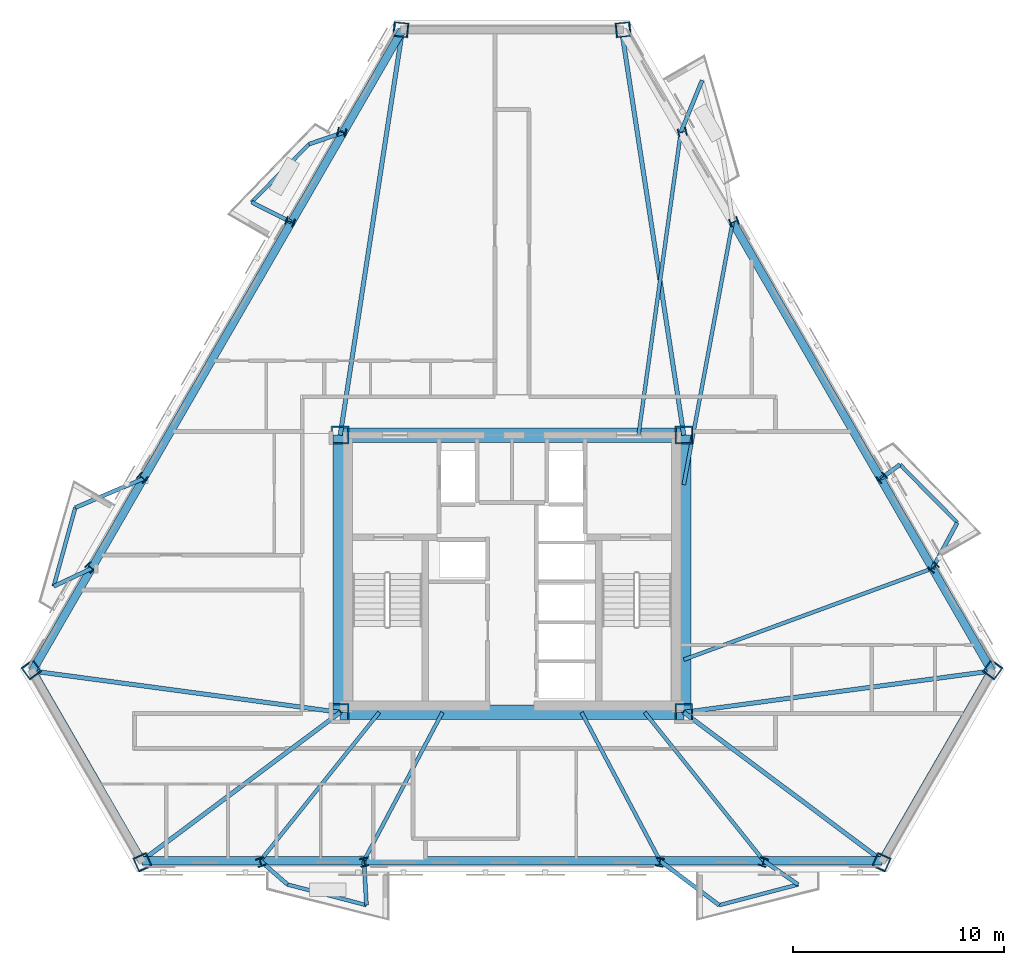
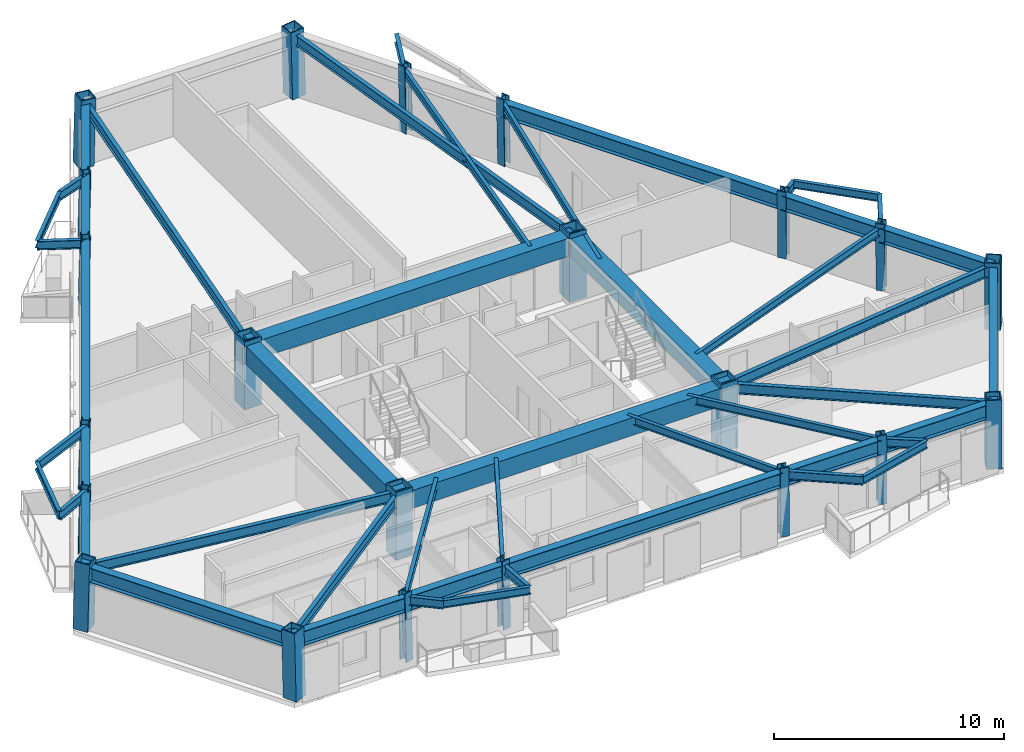
# One storey, part 1 of 9: 48 beams, 22 columns.
"""IFC4 building model written with IfcOpenShell, lengths in metres."""

from ifc_helpers import new_model, si_unit, direction, frame, origin, origin_2d, place, context, subcontext, project, spatial, rectangle, hollow_rectangle, i_section, extrude, material, material_profile, profile_set, type_object, element, save


model = new_model("IFC4")

# Units and contexts
model_context = context("Model", 3, precision=1e-05, world=origin(), true_north=direction((0.0, 1.0)))
body_context = subcontext(model_context, "Body", "Model", "MODEL_VIEW")
ifc_project = project(units=[si_unit("LENGTHUNIT", "METRE"), si_unit("AREAUNIT", "SQUARE_METRE"), si_unit("VOLUMEUNIT", "CUBIC_METRE"), si_unit("PLANEANGLEUNIT", "RADIAN"), si_unit("MASSUNIT", "GRAM", prefix="KILO")], contexts=[model_context])

# Site, building, storey
site_placement = place(None, origin())
site = spatial("IfcSite", under=ifc_project, at=site_placement, CompositionType="ELEMENT")
building_placement = place(site_placement, origin())
building = spatial("IfcBuilding", under=site, at=building_placement, Name="Oramaril Tower", CompositionType="ELEMENT")
storey_placement = place(building_placement, frame((0.0, 0.0, 126.60009765625)))
storey = spatial("IfcBuildingStorey", under=building, at=storey_placement, Name="L33", CompositionType="ELEMENT", Elevation=126.60009765625)

# Columns
ifc_material_1 = material(Name="Steel ASTM A572 Gr 50", Category="steel")
ifc_material_profile_1 = material_profile(ifc_material_1, hollow_rectangle(XDim=0.85009765625, YDim=0.85009765625, WallThickness=0.070068359375, at=origin_2d()), Name="BOX850X850X70")
ifc_profile_set_1 = profile_set([ifc_material_profile_1], Name="Steel ASTM A572 Gr 50")
column_type_1 = type_object("IfcColumnType", Name="CT-CC3", PredefinedType="COLUMN", material=ifc_profile_set_1)
for number, where, z_axis, x_axis, name in (
    (1, (29.35009765625, 11.0, 0.0), (0.0, 0.0, 1.0), (1.0, 0.0, 0.0), "L33 Core Column CC-1"),
    (2, (45.64990234375, 11.0, 0.0), (0.0, 0.0, 1.0), (1.0, 0.0, 0.0), "L33 Core Column CC-2"),
    (3, (45.64990234375, 24.14990234375, 0.0), (0.0, 0.0, 1.0), (1.0, 0.0, 0.0), "L33 Core Column CC-3"),
    (4, (29.35009765625, 24.14990234375, 0.0), (0.0, 0.0, 1.0), (1.0, 0.0, 0.0), "L33 Core Column CC-4"),
):
    element("IfcColumn", number, at=place(storey_placement, frame(where, z_axis=z_axis, x_axis=x_axis)), inside=storey, type_object=column_type_1, Name=name, PredefinedType="COLUMN", context=body_context, shape_type="SweptSolid", body=[
        extrude(hollow_rectangle(XDim=0.85009765625, YDim=0.85009765625, WallThickness=0.070068359375, at=origin_2d()), origin(), (0.0, 0.0, 1.0), 3.599853515625),
    ])
ifc_material_2 = material(Name="Steel ASTM A572 Gr 50", Category="steel")
ifc_material_profile_2 = material_profile(ifc_material_2, hollow_rectangle(XDim=0.699951171875, YDim=0.699951171875, WallThickness=0.054931640625, at=origin_2d()), Name="BOX700X700X55")
ifc_profile_set_2 = profile_set([ifc_material_profile_2], Name="Steel ASTM A572 Gr 50")
column_type_2 = type_object("IfcColumnType", Name="CT-TC4", PredefinedType="COLUMN", material=ifc_profile_set_2)
for number, where, z_axis, x_axis, name in (
    (5, (14.689453125, 13.0341796875, 0.00439453125), (0.014612382171, -0.020117512198, 0.999690834203), (0.809090542382, 0.587684008825, 0.0), "L33 Tube Column TC-01"),
    (6, (19.9755859375, 3.87841796875, 0.00439453125), (-0.010126722632, 0.022700170195, 0.999691028149), (-0.913246900768, -0.40740655154, 0.0), "L33 Tube Column TC-02"),
    (7, (55.0244140625, 3.87841796875, 0.00439453125), (0.010126722632, 0.022700170195, 0.999691028149), (-0.913246900768, 0.40740655154, 0.0), "L33 Tube Column TC-03"),
    (8, (60.310546875, 13.0341796875, 0.00439453125), (-0.014612382171, -0.020117512198, 0.999690834203), (0.809090542382, -0.587684008825, 0.0), "L33 Tube Column TC-04"),
    (9, (42.7861328125, 43.387451171875, 0.00439453125), (-0.024739097182, -0.002582653002, 0.999690605625), (0.103831337719, -0.994594919205, 0.0), "L33 Tube Column TC-05"),
    (10, (32.2138671875, 43.387451171875, 0.00439453125), (0.024739097182, -0.002582653002, 0.999690605625), (0.103831337719, 0.994594919205, 0.0), "L33 Tube Column TC-06"),
):
    element("IfcColumn", number, at=place(storey_placement, frame(where, z_axis=z_axis, x_axis=x_axis)), inside=storey, type_object=column_type_2, Name=name, PredefinedType="COLUMN", context=body_context, shape_type="SweptSolid", body=[
        extrude(hollow_rectangle(XDim=0.699951171875, YDim=0.699951171875, WallThickness=0.054931640625, at=origin_2d()), origin(), (0.0, 0.0, 1.0), 3.59228515625),
    ])
ifc_material_3 = material(Name="Steel ASTM A572 Gr 50", Category="steel")
ifc_material_profile_3 = material_profile(ifc_material_3, i_section(OverallWidth=0.404052734375, OverallDepth=0.406005859375, WebThickness=0.027099609375, FlangeThickness=0.043701171875, at=origin_2d()), Name="W14X233")
ifc_profile_set_3 = profile_set([ifc_material_profile_3], Name="Steel ASTM A572 Gr 50")
column_type_3 = type_object("IfcColumnType", Name="CT-TF3", PredefinedType="COLUMN", material=ifc_profile_set_3)
for number, where, z_axis, x_axis, name in (
    (11, (25.583251953125, 3.87841796875, 0.00439453125), (-0.00686461298, 0.022700799359, 0.999718735844), (-0.957192963501, -0.289450566807, 0.0), "L33 Tube Column TC-07"),
    (12, (30.490234375, 3.87841796875, 0.00439453125), (-0.004078050085, 0.022701145474, 0.999733978367), (-0.984244918542, -0.176810464409, 0.0), "L33 Tube Column TC-08"),
    (13, (44.509765625, 3.87841796875, 0.00439453125), (0.004078050085, 0.022701145474, 0.999733978367), (-0.984244918542, 0.176810464409, 0.0), "L33 Tube Column TC-09"),
    (14, (49.416748046875, 3.87841796875, 0.00439453125), (0.00686461298, 0.022700799359, 0.999718735844), (-0.957192963501, 0.289450566807, 0.0), "L33 Tube Column TC-10"),
    (15, (57.506591796875, 17.890625, 0.00439453125), (-0.01617604101, -0.017263505952, 0.999720114362), (0.729716361997, -0.68374997699, 0.0), "L33 Tube Column TC-11"),
    (16, (55.05322265625, 22.14013671875, 0.00439453125), (-0.017603605271, -0.014816934167, 0.999735250726), (0.643953800777, -0.765064377987, 0.0), "L33 Tube Column TC-12"),
    (17, (48.04345703125, 34.281494140625, 0.00439453125), (-0.021681641466, -0.007816265732, 0.999734370927), (0.339137142915, -0.94073694426, 0.0), "L33 Tube Column TC-13"),
    (18, (45.590087890625, 38.531005859375, 0.00439453125), (-0.023108593666, -0.005369349705, 0.999718541882), (0.226323871677, -0.974052105952, 0.0), "L33 Tube Column TC-14"),
    (19, (29.409912109375, 38.531005859375, 0.00439453125), (0.023108593666, -0.005369349705, 0.999718541882), (0.226323871677, 0.974052105952, 0.0), "L33 Tube Column TC-15"),
    (20, (26.95654296875, 34.281494140625, 0.00439453125), (0.021681641466, -0.007816265732, 0.999734370927), (0.339137142915, 0.94073694426, 0.0), "L33 Tube Column TC-16"),
    (21, (19.94677734375, 22.14013671875, 0.00439453125), (0.017603605271, -0.014816934167, 0.999735250726), (0.643953800777, 0.765064377987, 0.0), "L33 Tube Column TC-17"),
    (22, (17.493408203125, 17.890625, 0.00439453125), (0.01617604101, -0.017263505952, 0.999720114362), (0.729716361997, 0.68374997699, 0.0), "L33 Tube Column TC-18"),
):
    element("IfcColumn", number, at=place(storey_placement, frame(where, z_axis=z_axis, x_axis=x_axis)), inside=storey, type_object=column_type_3, Name=name, PredefinedType="COLUMN", context=body_context, shape_type="SweptSolid", body=[
        extrude(i_section(OverallWidth=0.404052734375, OverallDepth=0.406005859375, WebThickness=0.027099609375, FlangeThickness=0.043701171875, at=origin_2d()), origin(), (0.0, 0.0, 1.0), 3.592041015625),
    ])

# Beams
ifc_material_4 = material(Name="Steel ASTM A572 Gr 50", Category="steel")
ifc_material_profile_4 = material_profile(ifc_material_4, i_section(OverallWidth=0.19091796875, OverallDepth=0.45703125, WebThickness=0.009033203125, FlangeThickness=0.014404296875, at=origin_2d()), Name="W18X50")
ifc_profile_set_4 = profile_set([ifc_material_profile_4], Name="Steel ASTM A572 Gr 50")
beam_type_1 = type_object("IfcBeamType", Name="BT-BB1", PredefinedType="BEAM", material=ifc_profile_set_4)
beam_1_placement = place(storey_placement, frame((25.55859375, 3.9599609375, 3.13134765625), z_axis=(0.753492574251, -0.657456417223, 0.0), x_axis=(0.657456417223, 0.753492574251, 0.0)))
element("IfcBeam", 23, at=beam_1_placement, inside=storey, type_object=beam_type_1, Name="L33 Balcony Column-Framed Cantilever 01.1", PredefinedType="BEAM", context=body_context, shape_type="SweptSolid", body=[
    extrude(i_section(OverallWidth=0.19091796875, OverallDepth=0.45703125, WebThickness=0.009033203125, FlangeThickness=0.014404296875, at=origin_2d()), origin(), (0.0, 0.0, 1.0), 1.716064453125),
])
beam_2_placement = place(storey_placement, frame((30.4755859375, 3.9599609375, 3.13134765625), z_axis=(0.05688515558, -0.998380728517, 0.0), x_axis=(0.998380728517, 0.05688515558, 0.0)))
element("IfcBeam", 24, at=beam_2_placement, inside=storey, type_object=beam_type_1, Name="L33 Balcony Column-Framed Cantilever 01.2", PredefinedType="BEAM", context=body_context, shape_type="SweptSolid", body=[
    extrude(i_section(OverallWidth=0.19091796875, OverallDepth=0.45703125, WebThickness=0.009033203125, FlangeThickness=0.014404296875, at=origin_2d()), origin(), (0.0, 0.0, 1.0), 2.111572265625),
])
beam_3_placement = place(storey_placement, frame((44.5244140625, 3.9599609375, 3.13134765625), z_axis=(0.799390077508, -0.600812370031, 0.0), x_axis=(0.600812370031, 0.799390077508, 0.0)))
element("IfcBeam", 25, at=beam_3_placement, inside=storey, type_object=beam_type_1, Name="L33 Balcony Column-Framed Cantilever 02.1", PredefinedType="BEAM", context=body_context, shape_type="SweptSolid", body=[
    extrude(i_section(OverallWidth=0.19091796875, OverallDepth=0.45703125, WebThickness=0.009033203125, FlangeThickness=0.014404296875, at=origin_2d()), origin(), (0.0, 0.0, 1.0), 3.5087890625),
])
beam_4_placement = place(storey_placement, frame((49.44140625, 3.9599609375, 3.13134765625), z_axis=(0.822599527593, -0.568621154376, 0.0), x_axis=(0.568621154376, 0.822599527593, 0.0)))
element("IfcBeam", 26, at=beam_4_placement, inside=storey, type_object=beam_type_1, Name="L33 Balcony Column-Framed Cantilever 02.2", PredefinedType="BEAM", context=body_context, shape_type="SweptSolid", body=[
    extrude(i_section(OverallWidth=0.19091796875, OverallDepth=0.45703125, WebThickness=0.009033203125, FlangeThickness=0.014404296875, at=origin_2d()), origin(), (0.0, 0.0, 1.0), 1.984130859375),
])
beam_5_placement = place(storey_placement, frame((57.448486328125, 17.82861328125, 3.13134765625), z_axis=(0.476782436232, 0.879021335634, 0.0), x_axis=(-0.879021335634, 0.476782436232, 0.0)))
element("IfcBeam", 27, at=beam_5_placement, inside=storey, type_object=beam_type_1, Name="L33 Balcony Column-Framed Cantilever 03.1", PredefinedType="BEAM", context=body_context, shape_type="SweptSolid", body=[
    extrude(i_section(OverallWidth=0.19091796875, OverallDepth=0.45703125, WebThickness=0.009033203125, FlangeThickness=0.014404296875, at=origin_2d()), origin(), (0.0, 0.0, 1.0), 2.47265625),
])
beam_6_placement = place(storey_placement, frame((54.989990234375, 22.0869140625, 3.13134765625), z_axis=(0.808316986746, 0.588747525632, 0.0), x_axis=(-0.588747525632, 0.808316986746, 0.0)))
element("IfcBeam", 28, at=beam_6_placement, inside=storey, type_object=beam_type_1, Name="L33 Balcony Column-Framed Cantilever 03.2", PredefinedType="BEAM", context=body_context, shape_type="SweptSolid", body=[
    extrude(i_section(OverallWidth=0.19091796875, OverallDepth=0.45703125, WebThickness=0.009033203125, FlangeThickness=0.014404296875, at=origin_2d()), origin(), (0.0, 0.0, 1.0), 1.134033203125),
])
beam_7_placement = place(storey_placement, frame((45.507080078125, 38.51171875, 3.13134765625), z_axis=(0.378689901146, 0.925523613297, 0.0), x_axis=(-0.925523613297, 0.378689901146, 0.0)))
element("IfcBeam", 29, at=beam_7_placement, inside=storey, type_object=beam_type_1, Name="L33 Balcony Column-Framed Cantilever 04.2", PredefinedType="BEAM", context=body_context, shape_type="SweptSolid", body=[
    extrude(i_section(OverallWidth=0.19091796875, OverallDepth=0.45703125, WebThickness=0.009033203125, FlangeThickness=0.014404296875, at=origin_2d()), origin(), (0.0, 0.0, 1.0), 2.665771484375),
])
beam_8_placement = place(storey_placement, frame((29.492919921875, 38.51171875, 3.13134765625), z_axis=(-0.94606187636, -0.323985996762, 0.0), x_axis=(0.323985996762, -0.94606187636, 0.0)))
element("IfcBeam", 30, at=beam_8_placement, inside=storey, type_object=beam_type_1, Name="L33 Balcony Column-Framed Cantilever 05.1", PredefinedType="BEAM", context=body_context, shape_type="SweptSolid", body=[
    extrude(i_section(OverallWidth=0.19091796875, OverallDepth=0.45703125, WebThickness=0.009033203125, FlangeThickness=0.014404296875, at=origin_2d()), origin(), (0.0, 0.0, 1.0), 1.7158203125),
])
beam_9_placement = place(storey_placement, frame((27.034423828125, 34.25341796875, 3.13134765625), z_axis=(-0.893058520313, 0.449940528621, 0.0), x_axis=(-0.449940528621, -0.893058520313, 0.0)))
element("IfcBeam", 31, at=beam_9_placement, inside=storey, type_object=beam_type_1, Name="L33 Balcony Column-Framed Cantilever 05.2", PredefinedType="BEAM", context=body_context, shape_type="SweptSolid", body=[
    extrude(i_section(OverallWidth=0.19091796875, OverallDepth=0.45703125, WebThickness=0.009033203125, FlangeThickness=0.014404296875, at=origin_2d()), origin(), (0.0, 0.0, 1.0), 2.111328125),
])
beam_10_placement = place(storey_placement, frame((20.010009765625, 22.0869140625, 3.13134765625), z_axis=(-0.919963579398, -0.39200384256, 0.0), x_axis=(0.39200384256, -0.919963579398, 0.0)))
element("IfcBeam", 32, at=beam_10_placement, inside=storey, type_object=beam_type_1, Name="L33 Balcony Column-Framed Cantilever 06.1", PredefinedType="BEAM", context=body_context, shape_type="SweptSolid", body=[
    extrude(i_section(OverallWidth=0.19091796875, OverallDepth=0.45703125, WebThickness=0.009033203125, FlangeThickness=0.014404296875, at=origin_2d()), origin(), (0.0, 0.0, 1.0), 3.5087890625),
])
beam_11_placement = place(storey_placement, frame((17.551513671875, 17.82861328125, 3.13134765625), z_axis=(-0.903655130057, -0.428260908702, 0.0), x_axis=(0.428260908702, -0.903655130057, 0.0)))
element("IfcBeam", 33, at=beam_11_placement, inside=storey, type_object=beam_type_1, Name="L33 Balcony Column-Framed Cantilever 06.2", PredefinedType="BEAM", context=body_context, shape_type="SweptSolid", body=[
    extrude(i_section(OverallWidth=0.19091796875, OverallDepth=0.45703125, WebThickness=0.009033203125, FlangeThickness=0.014404296875, at=origin_2d()), origin(), (0.0, 0.0, 1.0), 1.98388671875),
])
ifc_material_5 = material(Name="Concrete C50/60", Category="concrete")
ifc_material_profile_5 = material_profile(ifc_material_5, rectangle(XDim=0.699951171875, YDim=0.949951171875, at=origin_2d()), Name="CB700X950")
ifc_profile_set_5 = profile_set([ifc_material_profile_5], Name="Concrete C50/60")
beam_type_2 = type_object("IfcBeamType", Name="BT-CB1", PredefinedType="BEAM", material=ifc_profile_set_5)
beam_12_placement = place(storey_placement, frame((29.35009765625, 11.0, 2.885009765625), z_axis=(1.0, 0.0, 0.0), x_axis=(0.0, 1.0, 0.0)))
element("IfcBeam", 34, at=beam_12_placement, inside=storey, type_object=beam_type_2, Name="L33 Core Header Beam CB-1", PredefinedType="BEAM", context=body_context, shape_type="SweptSolid", body=[
    extrude(rectangle(XDim=0.699951171875, YDim=0.949951171875, at=origin_2d()), origin(), (0.0, 0.0, 1.0), 16.2998046875),
])
beam_13_placement = place(storey_placement, frame((45.64990234375, 11.0, 2.885009765625), z_axis=(0.0, 1.0, 0.0), x_axis=(-1.0, 0.0, 0.0)))
element("IfcBeam", 35, at=beam_13_placement, inside=storey, type_object=beam_type_2, Name="L33 Core Header Beam CB-2", PredefinedType="BEAM", context=body_context, shape_type="SweptSolid", body=[
    extrude(rectangle(XDim=0.699951171875, YDim=0.949951171875, at=origin_2d()), origin(), (0.0, 0.0, 1.0), 13.14990234375),
])
beam_14_placement = place(storey_placement, frame((45.64990234375, 24.14990234375, 2.885009765625), z_axis=(-1.0, 0.0, 0.0), x_axis=(0.0, -1.0, 0.0)))
element("IfcBeam", 36, at=beam_14_placement, inside=storey, type_object=beam_type_2, Name="L33 Core Header Beam CB-3", PredefinedType="BEAM", context=body_context, shape_type="SweptSolid", body=[
    extrude(rectangle(XDim=0.699951171875, YDim=0.949951171875, at=origin_2d()), origin(), (0.0, 0.0, 1.0), 16.2998046875),
])
beam_15_placement = place(storey_placement, frame((29.35009765625, 24.14990234375, 2.885009765625), z_axis=(0.0, -1.0, 0.0), x_axis=(1.0, 0.0, 0.0)))
element("IfcBeam", 37, at=beam_15_placement, inside=storey, type_object=beam_type_2, Name="L33 Core Header Beam CB-4", PredefinedType="BEAM", context=body_context, shape_type="SweptSolid", body=[
    extrude(rectangle(XDim=0.699951171875, YDim=0.949951171875, at=origin_2d()), origin(), (0.0, 0.0, 1.0), 13.14990234375),
])
ifc_material_6 = material(Name="Steel ASTM A572 Gr 50", Category="steel")
ifc_material_profile_6 = material_profile(ifc_material_6, i_section(OverallWidth=0.2099609375, OverallDepth=0.535888671875, WebThickness=0.010986328125, FlangeThickness=0.017333984375, at=origin_2d()), Name="W21X68")
ifc_profile_set_6 = profile_set([ifc_material_profile_6], Name="Steel ASTM A572 Gr 50")
beam_type_3 = type_object("IfcBeamType", Name="BT-FB2", PredefinedType="BEAM", material=ifc_profile_set_6)
beam_16_placement = place(storey_placement, frame((29.35009765625, 11.0, 3.091796875), z_axis=(-0.991101594453, 0.133107586079, 0.0), x_axis=(-0.133107586079, -0.991101594453, 0.0)))
element("IfcBeam", 38, at=beam_16_placement, inside=storey, type_object=beam_type_3, Name="L33 Radial Primary Beam RB-01", PredefinedType="BEAM", context=body_context, shape_type="SweptSolid", body=[
    extrude(i_section(OverallWidth=0.2099609375, OverallDepth=0.535888671875, WebThickness=0.010986328125, FlangeThickness=0.017333984375, at=origin_2d()), origin(), (0.0, 0.0, 1.0), 14.7392578125),
])
for number, where, z_axis, x_axis, name in (
    (39, (29.35009765625, 11.0, 3.091796875), (-0.800739743388, -0.599012406681, 0.0), (0.599012406681, -0.800739743388, 0.0), "L33 Radial Primary Beam RB-02"),
    (40, (45.64990234375, 11.0, 3.091796875), (0.800739743388, -0.599012406681, 0.0), (0.599012406681, 0.800739743388, 0.0), "L33 Radial Primary Beam RB-03"),
):
    element("IfcBeam", number, at=place(storey_placement, frame(where, z_axis=z_axis, x_axis=x_axis)), inside=storey, type_object=beam_type_3, Name=name, PredefinedType="BEAM", context=body_context, shape_type="SweptSolid", body=[
        extrude(i_section(OverallWidth=0.2099609375, OverallDepth=0.535888671875, WebThickness=0.010986328125, FlangeThickness=0.017333984375, at=origin_2d()), origin(), (0.0, 0.0, 1.0), 11.752685546875),
    ])
beam_17_placement = place(storey_placement, frame((45.64990234375, 11.0, 3.091796875), z_axis=(0.991101594453, 0.133107586079, 0.0), x_axis=(-0.133107586079, 0.991101594453, 0.0)))
element("IfcBeam", 41, at=beam_17_placement, inside=storey, type_object=beam_type_3, Name="L33 Radial Primary Beam RB-04", PredefinedType="BEAM", context=body_context, shape_type="SweptSolid", body=[
    extrude(i_section(OverallWidth=0.2099609375, OverallDepth=0.535888671875, WebThickness=0.010986328125, FlangeThickness=0.017333984375, at=origin_2d()), origin(), (0.0, 0.0, 1.0), 14.7392578125),
])
for number, where, z_axis, x_axis, name in (
    (42, (45.64990234375, 24.14990234375, 3.091796875), (-0.151778034432, 0.988414603425, 0.0), (-0.988414603425, -0.151778034432, 0.0), "L33 Radial Primary Beam RB-05"),
    (43, (29.35009765625, 24.14990234375, 3.091796875), (0.151778034432, 0.988414603425, 0.0), (-0.988414603425, 0.151778034432, 0.0), "L33 Radial Primary Beam RB-06"),
):
    element("IfcBeam", number, at=place(storey_placement, frame(where, z_axis=z_axis, x_axis=x_axis)), inside=storey, type_object=beam_type_3, Name=name, PredefinedType="BEAM", context=body_context, shape_type="SweptSolid", body=[
        extrude(i_section(OverallWidth=0.2099609375, OverallDepth=0.535888671875, WebThickness=0.010986328125, FlangeThickness=0.017333984375, at=origin_2d()), origin(), (0.0, 0.0, 1.0), 19.45361328125),
    ])
ifc_material_7 = material(Name="Steel ASTM A572 Gr 50", Category="steel")
ifc_material_profile_7 = material_profile(ifc_material_7, i_section(OverallWidth=0.177978515625, OverallDepth=0.404052734375, WebThickness=0.007568359375, FlangeThickness=0.010986328125, at=origin_2d()), Name="W16X36")
ifc_profile_set_7 = profile_set([ifc_material_profile_7], Name="Steel ASTM A572 Gr 50")
beam_type_4 = type_object("IfcBeamType", Name="BT-SB1", PredefinedType="BEAM", material=ifc_profile_set_7)
beam_18_placement = place(storey_placement, frame((31.199951171875, 11.0, 3.157958984375), z_axis=(-0.62532519419, -0.780364274881, 0.0), x_axis=(0.780364274881, -0.62532519419, 0.0)))
element("IfcBeam", 44, at=beam_18_placement, inside=storey, type_object=beam_type_4, Name="L33 Secondary Floor Beam SB-01", PredefinedType="BEAM", context=body_context, shape_type="SweptSolid", body=[
    extrude(i_section(OverallWidth=0.177978515625, OverallDepth=0.404052734375, WebThickness=0.007568359375, FlangeThickness=0.010986328125, at=origin_2d()), origin(), (0.0, 0.0, 1.0), 9.021484375),
])
for number, where, z_axis, x_axis, name in (
    (45, (34.199951171875, 11.0, 3.157958984375), (-0.467621509483, -0.883928800226, 0.0), (0.883928800226, -0.467621509483, 0.0), "L33 Secondary Floor Beam SB-02"),
    (46, (40.800048828125, 11.0, 3.157958984375), (0.467621509483, -0.883928800226, 0.0), (0.883928800226, 0.467621509483, 0.0), "L33 Secondary Floor Beam SB-03"),
):
    element("IfcBeam", number, at=place(storey_placement, frame(where, z_axis=z_axis, x_axis=x_axis)), inside=storey, type_object=beam_type_4, Name=name, PredefinedType="BEAM", context=body_context, shape_type="SweptSolid", body=[
        extrude(i_section(OverallWidth=0.177978515625, OverallDepth=0.404052734375, WebThickness=0.007568359375, FlangeThickness=0.010986328125, at=origin_2d()), origin(), (0.0, 0.0, 1.0), 7.964599609375),
    ])
beam_19_placement = place(storey_placement, frame((43.800048828125, 11.0, 3.157958984375), z_axis=(0.62532519419, -0.780364274881, 0.0), x_axis=(0.780364274881, 0.62532519419, 0.0)))
element("IfcBeam", 47, at=beam_19_placement, inside=storey, type_object=beam_type_4, Name="L33 Secondary Floor Beam SB-04", PredefinedType="BEAM", context=body_context, shape_type="SweptSolid", body=[
    extrude(i_section(OverallWidth=0.177978515625, OverallDepth=0.404052734375, WebThickness=0.007568359375, FlangeThickness=0.010986328125, at=origin_2d()), origin(), (0.0, 0.0, 1.0), 9.021484375),
])
beam_20_placement = place(storey_placement, frame((45.64990234375, 13.5, 3.157958984375), z_axis=(0.938812883967, 0.344427596017, 0.0), x_axis=(-0.344427596017, 0.938812883967, 0.0)))
element("IfcBeam", 48, at=beam_20_placement, inside=storey, type_object=beam_type_4, Name="L33 Secondary Floor Beam SB-05", PredefinedType="BEAM", context=body_context, shape_type="SweptSolid", body=[
    extrude(i_section(OverallWidth=0.177978515625, OverallDepth=0.404052734375, WebThickness=0.007568359375, FlangeThickness=0.010986328125, at=origin_2d()), origin(), (0.0, 0.0, 1.0), 12.567626953125),
])
beam_21_placement = place(storey_placement, frame((45.64990234375, 21.800048828125, 3.157958984375), z_axis=(0.182813902954, 0.983147535666, 0.0), x_axis=(-0.983147535666, 0.182813902954, 0.0)))
element("IfcBeam", 49, at=beam_21_placement, inside=storey, type_object=beam_type_4, Name="L33 Secondary Floor Beam SB-06", PredefinedType="BEAM", context=body_context, shape_type="SweptSolid", body=[
    extrude(i_section(OverallWidth=0.177978515625, OverallDepth=0.404052734375, WebThickness=0.007568359375, FlangeThickness=0.010986328125, at=origin_2d()), origin(), (0.0, 0.0, 1.0), 12.666748046875),
])
beam_22_placement = place(storey_placement, frame((43.5, 24.14990234375, 3.157958984375), z_axis=(0.138406104118, 0.990375560251, 0.0), x_axis=(-0.990375560251, 0.138406104118, 0.0)))
element("IfcBeam", 50, at=beam_22_placement, inside=storey, type_object=beam_type_4, Name="L33 Secondary Floor Beam SB-07", PredefinedType="BEAM", context=body_context, shape_type="SweptSolid", body=[
    extrude(i_section(OverallWidth=0.177978515625, OverallDepth=0.404052734375, WebThickness=0.007568359375, FlangeThickness=0.010986328125, at=origin_2d()), origin(), (0.0, 0.0, 1.0), 14.50146484375),
])
for number, where, z_axis, x_axis, name in (
    (51, (26.8515625, 2.831787109375, 3.157958984375), (0.967411967632, -0.253207592467, 0.0), (0.253207592467, 0.967411967632, 0.0), "L33 Balcony Edge Tie Beam 01"),
    (52, (47.329345703125, 1.851806640625, 3.157958984375), (0.967411967632, 0.253207592467, 0.0), (-0.253207592467, 0.967411967632, 0.0), "L33 Balcony Edge Tie Beam 02"),
):
    element("IfcBeam", number, at=place(storey_placement, frame(where, z_axis=z_axis, x_axis=x_axis)), inside=storey, type_object=beam_type_4, Name=name, PredefinedType="BEAM", context=body_context, shape_type="SweptSolid", body=[
        extrude(i_section(OverallWidth=0.177978515625, OverallDepth=0.404052734375, WebThickness=0.007568359375, FlangeThickness=0.010986328125, at=origin_2d()), origin(), (0.0, 0.0, 1.0), 3.870361328125),
    ])
for number, where, z_axis, x_axis, name in (
    (53, (58.62744140625, 20.002197265625, 3.157958984375), (-0.702994511648, 0.71119527318, 0.0), (-0.71119527318, -0.702994511648, 0.0), "L33 Balcony Edge Tie Beam 03"),
    (54, (27.86962890625, 37.955810546875, 3.157958984375), (-0.702994511648, -0.71119527318, 0.0), (0.71119527318, -0.702994511648, 0.0), "L33 Balcony Edge Tie Beam 05"),
    (55, (16.781982421875, 20.71142578125, 3.157958984375), (-0.264382243015, -0.964417974521, 0.0), (0.964417974521, -0.264382243015, 0.0), "L33 Balcony Edge Tie Beam 06"),
):
    element("IfcBeam", number, at=place(storey_placement, frame(where, z_axis=z_axis, x_axis=x_axis)), inside=storey, type_object=beam_type_4, Name=name, PredefinedType="BEAM", context=body_context, shape_type="SweptSolid", body=[
        extrude(i_section(OverallWidth=0.177978515625, OverallDepth=0.404052734375, WebThickness=0.007568359375, FlangeThickness=0.010986328125, at=origin_2d()), origin(), (0.0, 0.0, 1.0), 3.8701171875),
    ])
ifc_material_8 = material(Name="Steel ASTM A572 Gr 50", Category="steel")
ifc_material_profile_8 = material_profile(ifc_material_8, i_section(OverallWidth=0.381103515625, OverallDepth=0.77197265625, WebThickness=0.0166015625, FlangeThickness=0.027099609375, at=origin_2d()), Name="W30X173")
ifc_profile_set_8 = profile_set([ifc_material_profile_8], Name="Steel ASTM A572 Gr 50")
beam_type_5 = type_object("IfcBeamType", Name="BT-SP2", PredefinedType="SPANDREL", material=ifc_profile_set_8)
beam_23_placement = place(storey_placement, frame((14.741943359375, 12.9619140625, 2.973876953125), z_axis=(0.499998958472, -0.86602600511, 0.0), x_axis=(0.86602600511, 0.499998958472, 0.0)))
element("IfcBeam", 56, at=beam_23_placement, inside=storey, type_object=beam_type_5, Name="L33 Perimeter Spandrel 01", PredefinedType="SPANDREL", context=body_context, shape_type="SweptSolid", body=[
    extrude(i_section(OverallWidth=0.381103515625, OverallDepth=0.77197265625, WebThickness=0.0166015625, FlangeThickness=0.027099609375, at=origin_2d()), origin(), (0.0, 0.0, 1.0), 10.39453125),
])
beam_24_placement = place(storey_placement, frame((19.939208984375, 3.9599609375, 2.973876953125), z_axis=(1.0, 0.0, 0.0), x_axis=(0.0, 1.0, 0.0)))
element("IfcBeam", 57, at=beam_24_placement, inside=storey, type_object=beam_type_5, Name="L33 Perimeter Spandrel 02", PredefinedType="SPANDREL", context=body_context, shape_type="SweptSolid", body=[
    extrude(i_section(OverallWidth=0.381103515625, OverallDepth=0.77197265625, WebThickness=0.0166015625, FlangeThickness=0.027099609375, at=origin_2d()), origin(), (0.0, 0.0, 1.0), 5.619384765625),
])
beam_25_placement = place(storey_placement, frame((25.55859375, 3.9599609375, 2.973876953125), z_axis=(1.0, 0.0, 0.0), x_axis=(0.0, 1.0, 0.0)))
element("IfcBeam", 58, at=beam_25_placement, inside=storey, type_object=beam_type_5, Name="L33 Perimeter Spandrel 03", PredefinedType="SPANDREL", context=body_context, shape_type="SweptSolid", body=[
    extrude(i_section(OverallWidth=0.381103515625, OverallDepth=0.77197265625, WebThickness=0.0166015625, FlangeThickness=0.027099609375, at=origin_2d()), origin(), (0.0, 0.0, 1.0), 4.9169921875),
])
beam_26_placement = place(storey_placement, frame((30.4755859375, 3.9599609375, 2.973876953125), z_axis=(1.0, 0.0, 0.0), x_axis=(0.0, 1.0, 0.0)))
element("IfcBeam", 59, at=beam_26_placement, inside=storey, type_object=beam_type_5, Name="L33 Perimeter Spandrel 04", PredefinedType="SPANDREL", context=body_context, shape_type="SweptSolid", body=[
    extrude(i_section(OverallWidth=0.381103515625, OverallDepth=0.77197265625, WebThickness=0.0166015625, FlangeThickness=0.027099609375, at=origin_2d()), origin(), (0.0, 0.0, 1.0), 14.048828125),
])
beam_27_placement = place(storey_placement, frame((44.5244140625, 3.9599609375, 2.973876953125), z_axis=(1.0, 0.0, 0.0), x_axis=(0.0, 1.0, 0.0)))
element("IfcBeam", 60, at=beam_27_placement, inside=storey, type_object=beam_type_5, Name="L33 Perimeter Spandrel 05", PredefinedType="SPANDREL", context=body_context, shape_type="SweptSolid", body=[
    extrude(i_section(OverallWidth=0.381103515625, OverallDepth=0.77197265625, WebThickness=0.0166015625, FlangeThickness=0.027099609375, at=origin_2d()), origin(), (0.0, 0.0, 1.0), 4.9169921875),
])
beam_28_placement = place(storey_placement, frame((49.44140625, 3.9599609375, 2.973876953125), z_axis=(1.0, 0.0, 0.0), x_axis=(0.0, 1.0, 0.0)))
element("IfcBeam", 61, at=beam_28_placement, inside=storey, type_object=beam_type_5, Name="L33 Perimeter Spandrel 06", PredefinedType="SPANDREL", context=body_context, shape_type="SweptSolid", body=[
    extrude(i_section(OverallWidth=0.381103515625, OverallDepth=0.77197265625, WebThickness=0.0166015625, FlangeThickness=0.027099609375, at=origin_2d()), origin(), (0.0, 0.0, 1.0), 5.619384765625),
])
beam_29_placement = place(storey_placement, frame((55.060791015625, 3.9599609375, 2.973876953125), z_axis=(0.499998958472, 0.86602600511, 0.0), x_axis=(-0.86602600511, 0.499998958472, 0.0)))
element("IfcBeam", 62, at=beam_29_placement, inside=storey, type_object=beam_type_5, Name="L33 Perimeter Spandrel 07", PredefinedType="SPANDREL", context=body_context, shape_type="SweptSolid", body=[
    extrude(i_section(OverallWidth=0.381103515625, OverallDepth=0.77197265625, WebThickness=0.0166015625, FlangeThickness=0.027099609375, at=origin_2d()), origin(), (0.0, 0.0, 1.0), 10.39453125),
])
beam_30_placement = place(storey_placement, frame((60.258056640625, 12.9619140625, 2.973876953125), z_axis=(-0.499970665341, 0.866042339495, 0.0), x_axis=(-0.866042339495, -0.499970665341, 0.0)))
element("IfcBeam", 63, at=beam_30_placement, inside=storey, type_object=beam_type_5, Name="L33 Perimeter Spandrel 08", PredefinedType="SPANDREL", context=body_context, shape_type="SweptSolid", body=[
    extrude(i_section(OverallWidth=0.381103515625, OverallDepth=0.77197265625, WebThickness=0.0166015625, FlangeThickness=0.027099609375, at=origin_2d()), origin(), (0.0, 0.0, 1.0), 5.619384765625),
])
beam_31_placement = place(storey_placement, frame((57.448486328125, 17.82861328125, 2.973876953125), z_axis=(-0.499994660107, 0.866028486751, 0.0), x_axis=(-0.866028486751, -0.499994660107, 0.0)))
element("IfcBeam", 64, at=beam_31_placement, inside=storey, type_object=beam_type_5, Name="L33 Perimeter Spandrel 09", PredefinedType="SPANDREL", context=body_context, shape_type="SweptSolid", body=[
    extrude(i_section(OverallWidth=0.381103515625, OverallDepth=0.77197265625, WebThickness=0.0166015625, FlangeThickness=0.027099609375, at=origin_2d()), origin(), (0.0, 0.0, 1.0), 4.9169921875),
])
beam_32_placement = place(storey_placement, frame((54.989990234375, 22.0869140625, 2.973876953125), z_axis=(-0.500004257883, 0.86602294548, 0.0), x_axis=(-0.86602294548, -0.500004257883, 0.0)))
element("IfcBeam", 65, at=beam_32_placement, inside=storey, type_object=beam_type_5, Name="L33 Perimeter Spandrel 10", PredefinedType="SPANDREL", context=body_context, shape_type="SweptSolid", body=[
    extrude(i_section(OverallWidth=0.381103515625, OverallDepth=0.77197265625, WebThickness=0.0166015625, FlangeThickness=0.027099609375, at=origin_2d()), origin(), (0.0, 0.0, 1.0), 14.048828125),
])
beam_33_placement = place(storey_placement, frame((32.302734375, 43.378173828125, 2.973876953125), z_axis=(-0.50002206238, -0.866012665689, 0.0), x_axis=(0.866012665689, -0.50002206238, 0.0)))
element("IfcBeam", 66, at=beam_33_placement, inside=storey, type_object=beam_type_5, Name="L33 Perimeter Spandrel 14", PredefinedType="SPANDREL", context=body_context, shape_type="SweptSolid", body=[
    extrude(i_section(OverallWidth=0.381103515625, OverallDepth=0.77197265625, WebThickness=0.0166015625, FlangeThickness=0.027099609375, at=origin_2d()), origin(), (0.0, 0.0, 1.0), 5.619384765625),
])
beam_34_placement = place(storey_placement, frame((29.492919921875, 38.51171875, 2.973876953125), z_axis=(-0.499994660107, -0.866028486751, 0.0), x_axis=(0.866028486751, -0.499994660107, 0.0)))
element("IfcBeam", 67, at=beam_34_placement, inside=storey, type_object=beam_type_5, Name="L33 Perimeter Spandrel 15", PredefinedType="SPANDREL", context=body_context, shape_type="SweptSolid", body=[
    extrude(i_section(OverallWidth=0.381103515625, OverallDepth=0.77197265625, WebThickness=0.0166015625, FlangeThickness=0.027099609375, at=origin_2d()), origin(), (0.0, 0.0, 1.0), 4.9169921875),
])
beam_35_placement = place(storey_placement, frame((27.034423828125, 34.25341796875, 2.973876953125), z_axis=(-0.500004257883, -0.86602294548, 0.0), x_axis=(0.86602294548, -0.500004257883, 0.0)))
element("IfcBeam", 68, at=beam_35_placement, inside=storey, type_object=beam_type_5, Name="L33 Perimeter Spandrel 16", PredefinedType="SPANDREL", context=body_context, shape_type="SweptSolid", body=[
    extrude(i_section(OverallWidth=0.381103515625, OverallDepth=0.77197265625, WebThickness=0.0166015625, FlangeThickness=0.027099609375, at=origin_2d()), origin(), (0.0, 0.0, 1.0), 14.048828125),
])
beam_36_placement = place(storey_placement, frame((20.010009765625, 22.0869140625, 2.973876953125), z_axis=(-0.499994660107, -0.866028486751, 0.0), x_axis=(0.866028486751, -0.499994660107, 0.0)))
element("IfcBeam", 69, at=beam_36_placement, inside=storey, type_object=beam_type_5, Name="L33 Perimeter Spandrel 17", PredefinedType="SPANDREL", context=body_context, shape_type="SweptSolid", body=[
    extrude(i_section(OverallWidth=0.381103515625, OverallDepth=0.77197265625, WebThickness=0.0166015625, FlangeThickness=0.027099609375, at=origin_2d()), origin(), (0.0, 0.0, 1.0), 4.9169921875),
])
beam_37_placement = place(storey_placement, frame((17.551513671875, 17.82861328125, 2.973876953125), z_axis=(-0.499970665341, -0.866042339495, 0.0), x_axis=(0.866042339495, -0.499970665341, 0.0)))
element("IfcBeam", 70, at=beam_37_placement, inside=storey, type_object=beam_type_5, Name="L33 Perimeter Spandrel 18", PredefinedType="SPANDREL", context=body_context, shape_type="SweptSolid", body=[
    extrude(i_section(OverallWidth=0.381103515625, OverallDepth=0.77197265625, WebThickness=0.0166015625, FlangeThickness=0.027099609375, at=origin_2d()), origin(), (0.0, 0.0, 1.0), 5.619384765625),
])

save(model, "model.ifc")
